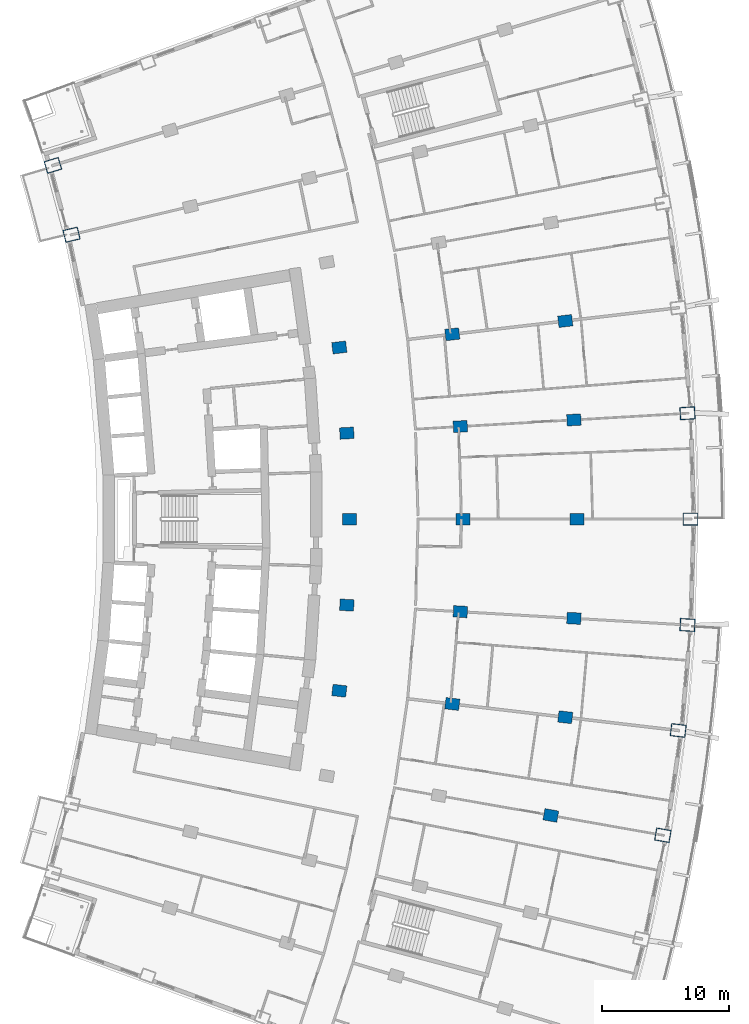
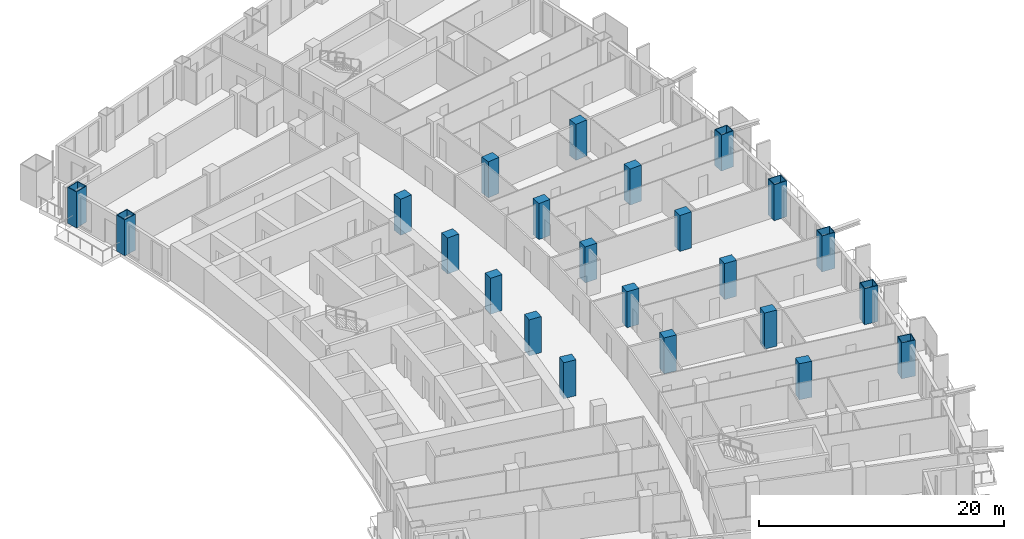
# One storey, part 6 of 25: 23 columns.
"""IFC4 building model written with IfcOpenShell, lengths in metres."""

from ifc_helpers import new_model, si_unit, direction, frame, origin, origin_2d, place, context, subcontext, project, spatial, rectangle, hollow_rectangle, extrude, material, material_profile, profile_set, type_object, element, save


model = new_model("IFC4")

# Units and contexts
model_context = context("Model", 3, precision=1e-05, world=origin(), true_north=direction((0.0, 1.0)))
body_context = subcontext(model_context, "Body", "Model", "MODEL_VIEW")
ifc_project = project(units=[si_unit("LENGTHUNIT", "METRE"), si_unit("AREAUNIT", "SQUARE_METRE"), si_unit("VOLUMEUNIT", "CUBIC_METRE"), si_unit("PLANEANGLEUNIT", "RADIAN"), si_unit("MASSUNIT", "GRAM", prefix="KILO")], contexts=[model_context])

# Site, building, storey
site_placement = place(None, origin())
site = spatial("IfcSite", under=ifc_project, at=site_placement, CompositionType="ELEMENT")
building_placement = place(site_placement, origin())
building = spatial("IfcBuilding", under=site, at=building_placement, Name="Alderwake Tower", CompositionType="ELEMENT")
storey_placement = place(building_placement, frame((0.0, 0.0, 57.199951171875)))
storey = spatial("IfcBuildingStorey", under=building, at=storey_placement, Name="L13", CompositionType="ELEMENT", Elevation=57.199951171875)

# Columns
ifc_material_1 = material(Name="Concrete C70/85", Category="concrete")
ifc_material_profile_1 = material_profile(ifc_material_1, rectangle(XDim=0.89990234375, YDim=1.10009765625, at=origin_2d()), Name="RC 1100X900")
ifc_profile_set_1 = profile_set([ifc_material_profile_1], Name="Concrete C70/85")
column_type_1 = type_object("IfcColumnType", Name="Interior column Z1", PredefinedType="COLUMN", material=ifc_profile_set_1)
for number, where, z_axis, x_axis, name in (
    (1, (51.625, 37.7275390625, 0.0), (0.0, 0.0, 1.0), (0.174108800747, 0.984726421654, 0.0), "Column R04-C4"),
    (2, (35.0126953125, 47.5205078125, 0.0), (0.0, 0.0, 1.0), (0.116402054316, 0.993202175668, 0.0), "Column R05-C2"),
    (3, (43.885498046875, 46.480712890625, 0.0), (0.0, 0.0, 1.0), (0.116402054316, 0.993202175668, 0.0), "Column R05-C3"),
    (4, (52.758056640625, 45.44091796875, 0.0), (0.0, 0.0, 1.0), (0.116402054316, 0.993202175668, 0.0), "Column R05-C4"),
    (5, (35.60302734375, 54.248779296875, 0.0), (0.0, 0.0, 1.0), (0.058301061284, 0.998299046505, 0.0), "Column R06-C2"),
    (6, (44.52099609375, 53.72802734375, 0.0), (0.0, 0.0, 1.0), (0.058301061284, 0.998299046505, 0.0), "Column R06-C3"),
    (7, (53.439208984375, 53.207275390625, 0.0), (0.0, 0.0, 1.0), (0.058301061284, 0.998299046505, 0.0), "Column R06-C4"),
    (8, (35.800048828125, 61.0, 0.0), (0.0, 0.0, 1.0), (0.0, 1.0, 0.0), "Column R07-C2"),
    (9, (44.7333984375, 61.0, 0.0), (0.0, 0.0, 1.0), (0.0, 1.0, 0.0), "Column R07-C3"),
    (10, (53.666748046875, 61.0, 0.0), (0.0, 0.0, 1.0), (0.0, 1.0, 0.0), "Column R07-C4"),
    (11, (35.60302734375, 67.751220703125, 0.0), (0.0, 0.0, 1.0), (-0.058301061284, 0.998299046505, 0.0), "Column R08-C2"),
    (12, (44.52099609375, 68.27197265625, 0.0), (0.0, 0.0, 1.0), (-0.058301061284, 0.998299046505, 0.0), "Column R08-C3"),
    (13, (53.439208984375, 68.792724609375, 0.0), (0.0, 0.0, 1.0), (-0.058301061284, 0.998299046505, 0.0), "Column R08-C4"),
    (14, (35.0126953125, 74.4794921875, 0.0), (0.0, 0.0, 1.0), (-0.116402054316, 0.993202175668, 0.0), "Column R09-C2"),
    (15, (43.885498046875, 75.519287109375, 0.0), (0.0, 0.0, 1.0), (-0.116402054316, 0.993202175668, 0.0), "Column R09-C3"),
    (16, (52.758056640625, 76.55908203125, 0.0), (0.0, 0.0, 1.0), (-0.116402054316, 0.993202175668, 0.0), "Column R09-C4"),
):
    element("IfcColumn", number, at=place(storey_placement, frame(where, z_axis=z_axis, x_axis=x_axis)), inside=storey, type_object=column_type_1, Name=name, PredefinedType="COLUMN", context=body_context, shape_type="SweptSolid", body=[
        extrude(rectangle(XDim=0.89990234375, YDim=1.10009765625, at=origin_2d()), origin(), (0.0, 0.0, 1.0), 3.60009765625),
    ])
ifc_material_2 = material(Name="Steel ASTM A572 Grade 50 concrete filled C70/85", Category="concrete")
ifc_material_profile_2 = material_profile(ifc_material_2, hollow_rectangle(XDim=1.0, YDim=1.199951171875, WallThickness=0.06005859375, at=origin_2d()), Name="BOX 1200X1000X60")
ifc_profile_set_2 = profile_set([ifc_material_profile_2], Name="Steel ASTM A572 Grade 50 concrete filled C70/85")
column_type_2 = type_object("IfcColumnType", Name="Perimeter column Z1", PredefinedType="COLUMN", material=ifc_profile_set_2)
for number, where, z_axis, x_axis, name in (
    (17, (60.422119140625, 36.172119140625, 0.0), (0.0, 0.0, 1.0), (0.174108800747, 0.984726421654, 0.0), "Column R04-C5"),
    (18, (61.630615234375, 44.40087890625, 0.0), (0.0, 0.0, 1.0), (0.116402054316, 0.993202175668, 0.0), "Column R05-C5"),
    (19, (62.357421875, 52.686279296875, 0.0), (0.0, 0.0, 1.0), (0.058299318924, 0.998299148258, 0.0), "Column R06-C5"),
    (20, (62.60009765625, 61.0, 0.0), (0.0, 0.0, 1.0), (0.0, 1.0, 0.0), "Column R07-C5"),
    (21, (62.357421875, 69.313720703125, 0.0), (0.0, 0.0, 1.0), (-0.058299318924, 0.998299148258, 0.0), "Column R08-C5"),
    (22, (13.982177734375, 83.3359375, 0.0), (0.0, 0.0, 1.0), (-0.231221547198, 0.972901123502, 0.0), "Column R11-C0"),
    (23, (12.520263671875, 88.777099609375, 0.0), (0.0, 0.0, 1.0), (-0.287549418125, 0.957765802342, 0.0), "Column R12-C0"),
):
    element("IfcColumn", number, at=place(storey_placement, frame(where, z_axis=z_axis, x_axis=x_axis)), inside=storey, type_object=column_type_2, Name=name, PredefinedType="COLUMN", context=body_context, shape_type="SweptSolid", body=[
        extrude(hollow_rectangle(XDim=1.0, YDim=1.199951171875, WallThickness=0.06005859375, at=origin_2d()), origin(), (0.0, 0.0, 1.0), 3.60009765625),
    ])

save(model, "model.ifc")
